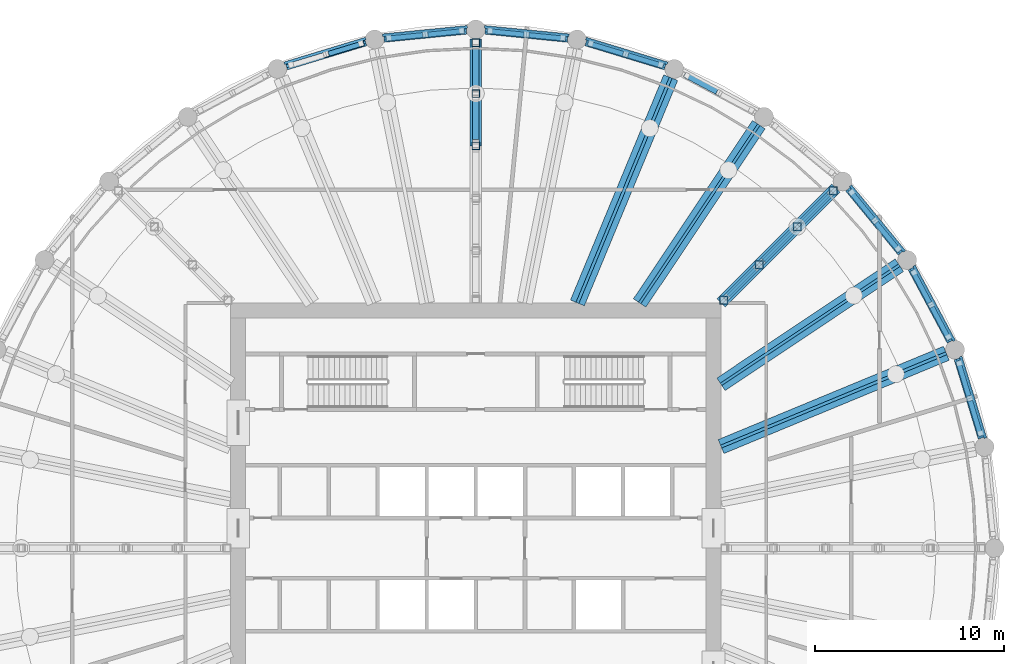
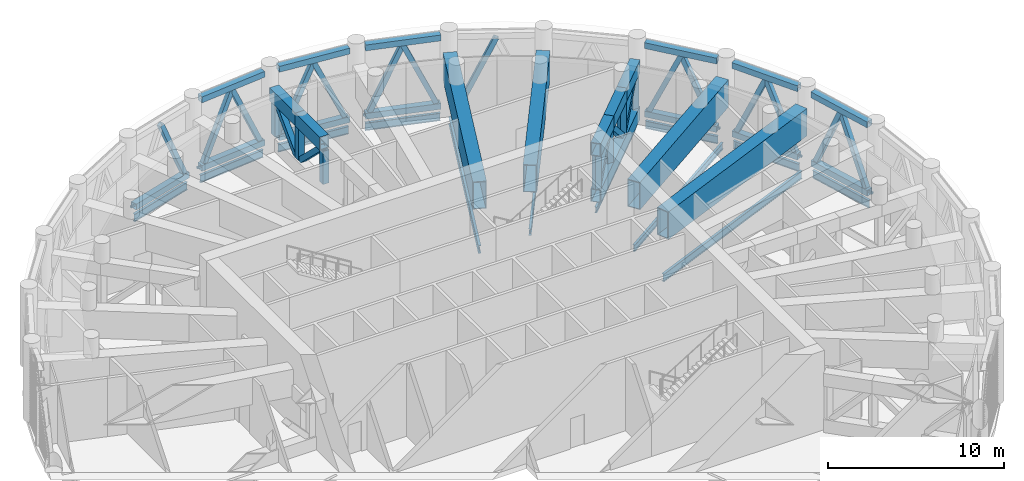
# One storey, part 7 of 24: 52 members, 16 beams, 7 elements without a shape of their own.
"""IFC4 building model written with IfcOpenShell, lengths in metres."""

from ifc_helpers import new_model, si_unit, direction, frame, origin, origin_2d, place, context, subcontext, project, spatial, rectangle, hollow_rectangle, i_section, extrude, material, material_profile, profile_set, type_object, element, aggregate, save


model = new_model("IFC4")

# Units and contexts
model_context = context("Model", 3, precision=1e-05, world=origin(), true_north=direction((0.0, 1.0)))
body_context = subcontext(model_context, "Body", "Model", "MODEL_VIEW")
ifc_project = project(units=[si_unit("LENGTHUNIT", "METRE"), si_unit("AREAUNIT", "SQUARE_METRE"), si_unit("VOLUMEUNIT", "CUBIC_METRE"), si_unit("PLANEANGLEUNIT", "RADIAN"), si_unit("MASSUNIT", "GRAM", prefix="KILO")], contexts=[model_context])

# Site, building, storey
site_placement = place(None, origin())
site = spatial("IfcSite", under=ifc_project, at=site_placement, CompositionType="ELEMENT")
building_placement = place(site_placement, origin())
building = spatial("IfcBuilding", under=site, at=building_placement, Name="Corvane Civic Tower", CompositionType="ELEMENT")
storey_placement = place(building_placement, frame((0.0, 0.0, 257.5)))
storey = spatial("IfcBuildingStorey", under=building, at=storey_placement, Name="L61", CompositionType="ELEMENT", Elevation=257.5)

# Members
ifc_material_1 = material(Name="Steel ASTM A500 Gr C", Category="steel")
ifc_material_profile_1 = material_profile(ifc_material_1, hollow_rectangle(XDim=0.406494140625, YDim=0.406494140625, WallThickness=0.0146484375, at=origin_2d()), Name="HSS16X16X5/8")
ifc_profile_set_1 = profile_set([ifc_material_profile_1], Name="Steel ASTM A500 Gr C")
member_type_1 = type_object("IfcMemberType", Name="BELT CHORD HSS16X16X5/8", PredefinedType="CHORD", material=ifc_profile_set_1)
for number, where, z_axis, x_axis, name in (
    (1, (0.49755859375, 27.450927734375, 4.94677734375), (0.995189593769, -0.097967711281, 0.0), (0.097967711281, 0.995189593769, 0.0), "Belt truss BT-L61"),
    (2, (0.49755859375, 27.450927734375, 0.203125), (0.995189593769, -0.097967711281, 0.0), (0.097967711281, 0.995189593769, 0.0), "Belt truss BT-L61"),
):
    element("IfcMember", number, at=place(storey_placement, frame(where, z_axis=z_axis, x_axis=x_axis)), inside=storey, type_object=member_type_1, Name=name, PredefinedType="CHORD", context=body_context, shape_type="SweptSolid", body=[
        extrude(hollow_rectangle(XDim=0.406494140625, YDim=0.406494140625, WallThickness=0.0146484375, at=origin_2d()), origin(), (0.0, 0.0, 1.0), 4.39111328125),
    ])
for number, where, z_axis, x_axis, name in (
    (3, (5.843505859375, 26.826416015625, 4.94677734375), (0.956949547653, -0.290254307888, 0.0), (0.290254307888, 0.956949547653, 0.0), "Belt truss BT-L61"),
    (4, (5.843505859375, 26.826416015625, 0.203125), (0.956949547653, -0.290254307888, 0.0), (0.290254307888, 0.956949547653, 0.0), "Belt truss BT-L61"),
):
    element("IfcMember", number, at=place(storey_placement, frame(where, z_axis=z_axis, x_axis=x_axis)), inside=storey, type_object=member_type_1, Name=name, PredefinedType="CHORD", context=body_context, shape_type="SweptSolid", body=[
        extrude(hollow_rectangle(XDim=0.406494140625, YDim=0.406494140625, WallThickness=0.0146484375, at=origin_2d()), origin(), (0.0, 0.0, 1.0), 4.390625),
    ])
for number, where, z_axis, x_axis, name in (
    (5, (19.7626953125, 19.05908203125, 4.94677734375), (0.634369433447, -0.773030026524, 0.0), (0.773030026524, 0.634369433447, 0.0), "Belt truss BT-L61"),
    (6, (19.7626953125, 19.05908203125, 0.203125), (0.634369433447, -0.773030026524, 0.0), (0.773030026524, 0.634369433447, 0.0), "Belt truss BT-L61"),
    (7, (23.10107421875, 14.837158203125, 4.94677734375), (0.471422006704, -0.881907756852, 0.0), (0.881907756852, 0.471422006704, 0.0), "Belt truss BT-L61"),
    (8, (23.10107421875, 14.837158203125, 0.203125), (0.471422006704, -0.881907756852, 0.0), (0.881907756852, 0.471422006704, 0.0), "Belt truss BT-L61"),
):
    element("IfcMember", number, at=place(storey_placement, frame(where, z_axis=z_axis, x_axis=x_axis)), inside=storey, type_object=member_type_1, Name=name, PredefinedType="CHORD", context=body_context, shape_type="SweptSolid", body=[
        extrude(hollow_rectangle(XDim=0.406494140625, YDim=0.406494140625, WallThickness=0.0146484375, at=origin_2d()), origin(), (0.0, 0.0, 1.0), 4.39111328125),
    ])
for number, where, z_axis, x_axis, name in (
    (9, (25.552001953125, 10.045166015625, 4.94677734375), (0.290254307888, -0.956949547653, 0.0), (0.956949547653, 0.290254307888, 0.0), "Belt truss BT-L61"),
    (10, (25.552001953125, 10.045166015625, 0.203125), (0.290254307888, -0.956949547653, 0.0), (0.956949547653, 0.290254307888, 0.0), "Belt truss BT-L61"),
    (11, (-10.045166015625, 25.552001953125, 0.203125), (0.956949547653, 0.290254307888, 0.0), (-0.290254307888, 0.956949547653, 0.0), "Belt truss BT-L61"),
):
    element("IfcMember", number, at=place(storey_placement, frame(where, z_axis=z_axis, x_axis=x_axis)), inside=storey, type_object=member_type_1, Name=name, PredefinedType="CHORD", context=body_context, shape_type="SweptSolid", body=[
        extrude(hollow_rectangle(XDim=0.406494140625, YDim=0.406494140625, WallThickness=0.0146484375, at=origin_2d()), origin(), (0.0, 0.0, 1.0), 4.390625),
    ])
for number, where, z_axis, x_axis, name in (
    (12, (-4.867431640625, 27.020751953125, 4.94677734375), (0.995189593769, 0.097967711281, 0.0), (-0.097967711281, 0.995189593769, 0.0), "Belt truss BT-L61"),
    (13, (-4.867431640625, 27.020751953125, 0.203125), (0.995189593769, 0.097967711281, 0.0), (-0.097967711281, 0.995189593769, 0.0), "Belt truss BT-L61"),
):
    element("IfcMember", number, at=place(storey_placement, frame(where, z_axis=z_axis, x_axis=x_axis)), inside=storey, type_object=member_type_1, Name=name, PredefinedType="CHORD", context=body_context, shape_type="SweptSolid", body=[
        extrude(hollow_rectangle(XDim=0.406494140625, YDim=0.406494140625, WallThickness=0.0146484375, at=origin_2d()), origin(), (0.0, 0.0, 1.0), 4.39111328125),
    ])
ifc_material_2 = material(Name="Steel ASTM A500 Gr C", Category="steel")
ifc_material_profile_2 = material_profile(ifc_material_2, hollow_rectangle(XDim=0.3046875, YDim=0.3046875, WallThickness=0.01171875, at=origin_2d()), Name="HSS12X12X1/2")
ifc_profile_set_2 = profile_set([ifc_material_profile_2], Name="Steel ASTM A500 Gr C")
member_type_2 = type_object("IfcMemberType", Name="BELT DIAGONAL HSS12X12X1/2", PredefinedType="BRACE", material=ifc_profile_set_2)
member_1_placement = place(storey_placement, frame((0.746337890625, 27.426513671875, 0.406494140625), z_axis=(0.407331176201, -0.040111669224, 0.912399236566), x_axis=(0.098000323415, 0.99518638285, 0.0)))
element("IfcMember", 14, at=member_1_placement, inside=storey, type_object=member_type_2, Name="Belt truss BT-L61", PredefinedType="BRACE", context=body_context, shape_type="SweptSolid", body=[
    extrude(hollow_rectangle(XDim=0.3046875, YDim=0.3046875, WallThickness=0.01171875, at=origin_2d()), origin(), (0.0, 0.0, 1.0), 4.753662109375),
])
for number, where, z_axis, x_axis, name in (
    (15, (4.61865234375, 27.045166015625, 0.406494140625), (-0.407288336964, 0.040112508344, 0.912418323603), (-0.098012562879, -0.995185177501, 0.0), "Belt truss BT-L61"),
    (16, (6.082763671875, 26.75390625, 0.406494140625), (0.391625604983, -0.118797380239, 0.912423458691), (0.290282555448, 0.956940979373, 0.0), "Belt truss BT-L61"),
    (17, (9.805908203125, 25.62451171875, 0.406494140625), (-0.391625604983, 0.118797380239, 0.912423458691), (-0.290282555448, -0.956940979373, 0.0), "Belt truss BT-L61"),
    (18, (11.18505859375, 25.05322265625, 0.406494140625), (0.36095861571, -0.192908446301, 0.912411754139), (0.471343613184, 0.88194965747, 0.0), "Belt truss BT-L61"),
    (19, (19.92138671875, 18.86572265625, 0.406494140625), (0.259625765734, -0.316378776839, 0.912413793919), (0.773033921437, 0.634364687153, 0.0), "Belt truss BT-L61"),
    (20, (22.3896484375, 15.85791015625, 0.406494140625), (-0.259625765734, 0.316378776839, 0.912413793919), (-0.773033921437, -0.634364687153, 0.0), "Belt truss BT-L61"),
):
    element("IfcMember", number, at=place(storey_placement, frame(where, z_axis=z_axis, x_axis=x_axis)), inside=storey, type_object=member_type_2, Name=name, PredefinedType="BRACE", context=body_context, shape_type="SweptSolid", body=[
        extrude(hollow_rectangle(XDim=0.3046875, YDim=0.3046875, WallThickness=0.01171875, at=origin_2d()), origin(), (0.0, 0.0, 1.0), 4.75341796875),
    ])
member_2_placement = place(storey_placement, frame((23.218994140625, 14.61669921875, 0.406494140625), z_axis=(0.192957894346, -0.360955038984, 0.912402713083), x_axis=(0.881897488442, 0.47144121572, 0.0)))
element("IfcMember", 21, at=member_2_placement, inside=storey, type_object=member_type_2, Name="Belt truss BT-L61", PredefinedType="BRACE", context=body_context, shape_type="SweptSolid", body=[
    extrude(hollow_rectangle(XDim=0.3046875, YDim=0.3046875, WallThickness=0.01171875, at=origin_2d()), origin(), (0.0, 0.0, 1.0), 4.753662109375),
])
for number, where, z_axis, x_axis, name in (
    (22, (25.05322265625, 11.18505859375, 0.406494140625), (-0.192908446301, 0.36095861571, 0.912411754139), (-0.88194965747, -0.471343613184, 0.0), "Belt truss BT-L61"),
    (23, (25.62451171875, 9.805908203125, 0.406494140625), (0.118797380239, -0.391625604983, 0.912423458691), (0.956940979373, 0.290282555448, 0.0), "Belt truss BT-L61"),
    (24, (26.75390625, 6.082763671875, 0.406494140625), (-0.118797380239, 0.391625604983, 0.912423458691), (-0.956940979373, -0.290282555448, 0.0), "Belt truss BT-L61"),
    (25, (-6.082763671875, 26.75390625, 0.406494140625), (-0.391625604983, -0.118797380239, 0.912423458691), (0.290282555448, -0.956940979373, 0.0), "Belt truss BT-L61"),
    (26, (-4.61865234375, 27.045166015625, 0.406494140625), (0.407288336964, 0.040112508344, 0.912418323603), (-0.098012562879, 0.995185177501, 0.0), "Belt truss BT-L61"),
):
    element("IfcMember", number, at=place(storey_placement, frame(where, z_axis=z_axis, x_axis=x_axis)), inside=storey, type_object=member_type_2, Name=name, PredefinedType="BRACE", context=body_context, shape_type="SweptSolid", body=[
        extrude(hollow_rectangle(XDim=0.3046875, YDim=0.3046875, WallThickness=0.01171875, at=origin_2d()), origin(), (0.0, 0.0, 1.0), 4.75341796875),
    ])
member_3_placement = place(storey_placement, frame((-0.746337890625, 27.426513671875, 0.406494140625), z_axis=(-0.407331176201, -0.040111669224, 0.912399236566), x_axis=(0.098000323415, -0.99518638285, 0.0)))
element("IfcMember", 27, at=member_3_placement, inside=storey, type_object=member_type_2, Name="Belt truss BT-L61", PredefinedType="BRACE", context=body_context, shape_type="SweptSolid", body=[
    extrude(hollow_rectangle(XDim=0.3046875, YDim=0.3046875, WallThickness=0.01171875, at=origin_2d()), origin(), (0.0, 0.0, 1.0), 4.753662109375),
])

# Beams
ifc_material_3 = material(Name="Steel ASTM A992 Gr 50", Category="steel")
ifc_material_profile_3 = material_profile(ifc_material_3, i_section(OverallWidth=0.165771484375, OverallDepth=0.5283203125, WebThickness=0.009765625, FlangeThickness=0.013671875, at=origin_2d()), Name="W21X50")
ifc_profile_set_3 = profile_set([ifc_material_profile_3], Name="Steel ASTM A992 Gr 50")
beam_type_1 = type_object("IfcBeamType", Name="EDGE BEAM W21X50", PredefinedType="BEAM", material=ifc_profile_set_3)
beam_1_placement = place(storey_placement, frame((0.49755859375, 27.450927734375, -0.6142578125), z_axis=(0.995189593769, -0.097967711281, 0.0), x_axis=(0.097967711281, 0.995189593769, 0.0)))
element("IfcBeam", 28, at=beam_1_placement, inside=storey, type_object=beam_type_1, Name="BM-L61-E01", PredefinedType="BEAM", context=body_context, shape_type="SweptSolid", body=[
    extrude(i_section(OverallWidth=0.165771484375, OverallDepth=0.5283203125, WebThickness=0.009765625, FlangeThickness=0.013671875, at=origin_2d()), origin(), (0.0, 0.0, 1.0), 4.39111328125),
])
beam_2_placement = place(storey_placement, frame((5.843505859375, 26.826416015625, -0.6142578125), z_axis=(0.956949547653, -0.290254307888, 0.0), x_axis=(0.290254307888, 0.956949547653, 0.0)))
element("IfcBeam", 29, at=beam_2_placement, inside=storey, type_object=beam_type_1, Name="BM-L61-E02", PredefinedType="BEAM", context=body_context, shape_type="SweptSolid", body=[
    extrude(i_section(OverallWidth=0.165771484375, OverallDepth=0.5283203125, WebThickness=0.009765625, FlangeThickness=0.013671875, at=origin_2d()), origin(), (0.0, 0.0, 1.0), 4.390625),
])
for number, where, z_axis, x_axis, name in (
    (30, (19.7626953125, 19.05908203125, -0.6142578125), (0.634369433447, -0.773030026524, 0.0), (0.773030026524, 0.634369433447, 0.0), "BM-L61-E05"),
    (31, (23.10107421875, 14.837158203125, -0.6142578125), (0.471422006704, -0.881907756852, 0.0), (0.881907756852, 0.471422006704, 0.0), "BM-L61-E06"),
):
    element("IfcBeam", number, at=place(storey_placement, frame(where, z_axis=z_axis, x_axis=x_axis)), inside=storey, type_object=beam_type_1, Name=name, PredefinedType="BEAM", context=body_context, shape_type="SweptSolid", body=[
        extrude(i_section(OverallWidth=0.165771484375, OverallDepth=0.5283203125, WebThickness=0.009765625, FlangeThickness=0.013671875, at=origin_2d()), origin(), (0.0, 0.0, 1.0), 4.39111328125),
    ])
for number, where, z_axis, x_axis, name in (
    (32, (25.552001953125, 10.045166015625, -0.6142578125), (0.290254307888, -0.956949547653, 0.0), (0.956949547653, 0.290254307888, 0.0), "BM-L61-E07"),
    (33, (-10.045166015625, 25.552001953125, -0.6142578125), (0.956949547653, 0.290254307888, 0.0), (-0.290254307888, 0.956949547653, 0.0), "BM-L61-E31"),
):
    element("IfcBeam", number, at=place(storey_placement, frame(where, z_axis=z_axis, x_axis=x_axis)), inside=storey, type_object=beam_type_1, Name=name, PredefinedType="BEAM", context=body_context, shape_type="SweptSolid", body=[
        extrude(i_section(OverallWidth=0.165771484375, OverallDepth=0.5283203125, WebThickness=0.009765625, FlangeThickness=0.013671875, at=origin_2d()), origin(), (0.0, 0.0, 1.0), 4.390625),
    ])
beam_3_placement = place(storey_placement, frame((-4.867431640625, 27.020751953125, -0.6142578125), z_axis=(0.995189593769, 0.097967711281, 0.0), x_axis=(-0.097967711281, 0.995189593769, 0.0)))
element("IfcBeam", 34, at=beam_3_placement, inside=storey, type_object=beam_type_1, Name="BM-L61-E32", PredefinedType="BEAM", context=body_context, shape_type="SweptSolid", body=[
    extrude(i_section(OverallWidth=0.165771484375, OverallDepth=0.5283203125, WebThickness=0.009765625, FlangeThickness=0.013671875, at=origin_2d()), origin(), (0.0, 0.0, 1.0), 4.39111328125),
])
ifc_material_4 = material(Name="Steel ASTM A992 Gr 50", Category="steel")
ifc_material_profile_4 = material_profile(ifc_material_4, i_section(OverallWidth=0.140380859375, OverallDepth=0.40380859375, WebThickness=0.007080078125, FlangeThickness=0.01123046875, at=origin_2d()), Name="W16X31")
ifc_profile_set_4 = profile_set([ifc_material_profile_4], Name="Steel ASTM A992 Gr 50")
beam_type_2 = type_object("IfcBeamType", Name="FLOOR GIRDER W16X31", PredefinedType="BEAM", material=ifc_profile_set_4)
beam_4_placement = place(storey_placement, frame((13.0, 13.0, -0.552001953125), z_axis=(0.707106781187, 0.707106781187, 0.0), x_axis=(-0.707106781187, 0.707106781187, 0.0)))
element("IfcBeam", 35, at=beam_4_placement, inside=storey, type_object=beam_type_2, Name="BM-L61-G05", PredefinedType="BEAM", context=body_context, shape_type="SweptSolid", body=[
    extrude(i_section(OverallWidth=0.140380859375, OverallDepth=0.40380859375, WebThickness=0.007080078125, FlangeThickness=0.01123046875, at=origin_2d()), origin(), (0.0, 0.0, 1.0), 8.614990234375),
])
ifc_material_5 = material(Name="Steel ASTM A992 Gr 50", Category="steel")
ifc_material_profile_5 = material_profile(ifc_material_5, i_section(OverallWidth=0.15283203125, OverallDepth=0.45458984375, WebThickness=0.008056640625, FlangeThickness=0.013427734375, at=origin_2d()), Name="W18X40")
ifc_profile_set_5 = profile_set([ifc_material_profile_5], Name="Steel ASTM A992 Gr 50")
beam_type_3 = type_object("IfcBeamType", Name="FLOOR GIRDER W18X40", PredefinedType="BEAM", material=ifc_profile_set_5)
for number, where, z_axis, x_axis, name in (
    (36, (8.686279296875, 13.0, -0.577392578125), (0.555577326485, 0.831464872557, 0.0), (-0.831464872557, 0.555577326485, 0.0), "BM-L61-G04"),
    (37, (13.0, 8.686279296875, -0.577392578125), (0.831464872557, 0.555577326485, 0.0), (-0.555577326485, 0.831464872557, 0.0), "BM-L61-G06"),
):
    element("IfcBeam", number, at=place(storey_placement, frame(where, z_axis=z_axis, x_axis=x_axis)), inside=storey, type_object=beam_type_3, Name=name, PredefinedType="BEAM", context=body_context, shape_type="SweptSolid", body=[
        extrude(i_section(OverallWidth=0.15283203125, OverallDepth=0.45458984375, WebThickness=0.008056640625, FlangeThickness=0.013427734375, at=origin_2d()), origin(), (0.0, 0.0, 1.0), 11.365234375),
    ])
ifc_material_6 = material(Name="Steel ASTM A992 Gr 50", Category="steel")
ifc_material_profile_6 = material_profile(ifc_material_6, i_section(OverallWidth=0.165771484375, OverallDepth=0.5283203125, WebThickness=0.009765625, FlangeThickness=0.013671875, at=origin_2d()), Name="W21X50")
ifc_profile_set_6 = profile_set([ifc_material_profile_6], Name="Steel ASTM A992 Gr 50")
beam_type_4 = type_object("IfcBeamType", Name="FLOOR GIRDER W21X50", PredefinedType="BEAM", material=ifc_profile_set_6)
for number, where, z_axis, x_axis, name in (
    (38, (5.384765625, 13.0, -0.6142578125), (0.382686450378, 0.923878282404, 0.0), (-0.923878282404, 0.382686450378, 0.0), "BM-L61-G03"),
    (39, (13.0, 5.384765625, -0.6142578125), (0.923878282404, 0.382686450378, 0.0), (-0.382686450378, 0.923878282404, 0.0), "BM-L61-G07"),
):
    element("IfcBeam", number, at=place(storey_placement, frame(where, z_axis=z_axis, x_axis=x_axis)), inside=storey, type_object=beam_type_4, Name=name, PredefinedType="BEAM", context=body_context, shape_type="SweptSolid", body=[
        extrude(i_section(OverallWidth=0.165771484375, OverallDepth=0.5283203125, WebThickness=0.009765625, FlangeThickness=0.013671875, at=origin_2d()), origin(), (0.0, 0.0, 1.0), 12.928955078125),
    ])

# Members
ifc_material_7 = material(Name="Steel ASTM A572 Gr 50", Category="steel")
ifc_material_profile_7 = material_profile(ifc_material_7, hollow_rectangle(XDim=0.60009765625, YDim=0.89990234375, WallThickness=0.0400390625, at=origin_2d()), Name="BOX900X600X40")
ifc_profile_set_7 = profile_set([ifc_material_profile_7], Name="Steel ASTM A572 Gr 50")
member_type_3 = type_object("IfcMemberType", Name="OUTRIGGER CHORD BOX900X600X40", PredefinedType="CHORD", material=ifc_profile_set_7)
member_4_placement = place(storey_placement, frame((0.0, 21.324951171875, 3.64990234375), z_axis=(0.0, 1.0, 0.0), x_axis=(-1.0, 0.0, 0.0)))
element("IfcMember", 40, at=member_4_placement, inside=storey, type_object=member_type_3, Name="Outrigger truss OT-L61-1", PredefinedType="CHORD", context=body_context, shape_type="SweptSolid", body=[
    extrude(hollow_rectangle(XDim=0.60009765625, YDim=0.89990234375, WallThickness=0.0400390625, at=origin_2d()), origin(), (0.0, 0.0, 1.0), 2.775146484375),
])
member_5_placement = place(storey_placement, frame((0.0, 24.10009765625, 3.64990234375), z_axis=(0.0, 1.0, 0.0), x_axis=(-1.0, 0.0, 0.0)))
element("IfcMember", 41, at=member_5_placement, inside=storey, type_object=member_type_3, Name="Outrigger truss OT-L61-1", PredefinedType="CHORD", context=body_context, shape_type="SweptSolid", body=[
    extrude(hollow_rectangle(XDim=0.60009765625, YDim=0.89990234375, WallThickness=0.0400390625, at=origin_2d()), origin(), (0.0, 0.0, 1.0), 2.89990234375),
])
member_6_placement = place(storey_placement, frame((13.0, 13.0, 3.64990234375), z_axis=(0.707106781187, 0.707106781187, 0.0), x_axis=(-0.707106781187, 0.707106781187, 0.0)))
element("IfcMember", 42, at=member_6_placement, inside=storey, type_object=member_type_3, Name="Outrigger truss OT-L61-2", PredefinedType="CHORD", context=body_context, shape_type="SweptSolid", body=[
    extrude(hollow_rectangle(XDim=0.60009765625, YDim=0.89990234375, WallThickness=0.0400390625, at=origin_2d()), origin(), (0.0, 0.0, 1.0), 2.857666015625),
])
member_7_placement = place(storey_placement, frame((15.020751953125, 15.020751953125, 3.64990234375), z_axis=(0.707106781187, 0.707106781187, 0.0), x_axis=(-0.707106781187, 0.707106781187, 0.0)))
element("IfcMember", 43, at=member_7_placement, inside=storey, type_object=member_type_3, Name="Outrigger truss OT-L61-2", PredefinedType="CHORD", context=body_context, shape_type="SweptSolid", body=[
    extrude(hollow_rectangle(XDim=0.60009765625, YDim=0.89990234375, WallThickness=0.0400390625, at=origin_2d()), origin(), (0.0, 0.0, 1.0), 2.857421875),
])
member_8_placement = place(storey_placement, frame((17.041259765625, 17.041259765625, 3.64990234375), z_axis=(0.707106781187, 0.707106781187, 0.0), x_axis=(-0.707106781187, 0.707106781187, 0.0)))
element("IfcMember", 44, at=member_8_placement, inside=storey, type_object=member_type_3, Name="Outrigger truss OT-L61-2", PredefinedType="CHORD", context=body_context, shape_type="SweptSolid", body=[
    extrude(hollow_rectangle(XDim=0.60009765625, YDim=0.89990234375, WallThickness=0.0400390625, at=origin_2d()), origin(), (0.0, 0.0, 1.0), 2.89990234375),
])
member_9_placement = place(storey_placement, frame((13.0, 13.0, 0.449951171875), z_axis=(0.707106781187, 0.707106781187, 0.0), x_axis=(-0.707106781187, 0.707106781187, 0.0)))
element("IfcMember", 45, at=member_9_placement, inside=storey, type_object=member_type_3, Name="Outrigger truss OT-L61-2", PredefinedType="CHORD", context=body_context, shape_type="SweptSolid", body=[
    extrude(hollow_rectangle(XDim=0.60009765625, YDim=0.89990234375, WallThickness=0.0400390625, at=origin_2d()), origin(), (0.0, 0.0, 1.0), 8.614990234375),
])
ifc_material_8 = material(Name="Steel ASTM A500 Gr C", Category="steel")
ifc_material_profile_8 = material_profile(ifc_material_8, hollow_rectangle(XDim=0.355712890625, YDim=0.355712890625, WallThickness=0.01171875, at=origin_2d()), Name="HSS14X14X1/2")
ifc_profile_set_8 = profile_set([ifc_material_profile_8], Name="Steel ASTM A500 Gr C")
member_type_4 = type_object("IfcMemberType", Name="OUTRIGGER DIAGONAL HSS14X14X1/2", PredefinedType="BRACE", material=ifc_profile_set_8)
member_10_placement = place(storey_placement, frame((0.0, 21.5283203125, 3.199951171875), z_axis=(0.0, 0.717383914555, -0.696678059894), x_axis=(-1.0, 0.0, 0.0)))
element("IfcMember", 46, at=member_10_placement, inside=storey, type_object=member_type_4, Name="Outrigger truss OT-L61-1", PredefinedType="BRACE", context=body_context, shape_type="SweptSolid", body=[
    extrude(hollow_rectangle(XDim=0.355712890625, YDim=0.355712890625, WallThickness=0.01171875, at=origin_2d()), origin(), (0.0, 0.0, 1.0), 3.301513671875),
])
member_11_placement = place(storey_placement, frame((0.0, 24.30322265625, 0.89990234375), z_axis=(0.0, 0.705600861945, 0.708609500094), x_axis=(-1.0, 0.0, 0.0)))
element("IfcMember", 47, at=member_11_placement, inside=storey, type_object=member_type_4, Name="Outrigger truss OT-L61-1", PredefinedType="BRACE", context=body_context, shape_type="SweptSolid", body=[
    extrude(hollow_rectangle(XDim=0.355712890625, YDim=0.355712890625, WallThickness=0.01171875, at=origin_2d()), origin(), (0.0, 0.0, 1.0), 3.245849609375),
])
member_12_placement = place(storey_placement, frame((13.287353515625, 13.287353515625, 0.89990234375), z_axis=(0.494249277521, 0.494249277521, 0.715147050151), x_axis=(-0.707106781187, 0.707106781187, 0.0)))
element("IfcMember", 48, at=member_12_placement, inside=storey, type_object=member_type_4, Name="Outrigger truss OT-L61-2", PredefinedType="BRACE", context=body_context, shape_type="SweptSolid", body=[
    extrude(hollow_rectangle(XDim=0.355712890625, YDim=0.355712890625, WallThickness=0.01171875, at=origin_2d()), origin(), (0.0, 0.0, 1.0), 3.21630859375),
])
member_13_placement = place(storey_placement, frame((15.164306640625, 15.164306640625, 3.199951171875), z_axis=(0.515664863486, 0.515664863486, -0.684236433648), x_axis=(-0.707106781187, 0.707106781187, 0.0)))
element("IfcMember", 49, at=member_13_placement, inside=storey, type_object=member_type_4, Name="Outrigger truss OT-L61-2", PredefinedType="BRACE", context=body_context, shape_type="SweptSolid", body=[
    extrude(hollow_rectangle(XDim=0.355712890625, YDim=0.355712890625, WallThickness=0.01171875, at=origin_2d()), origin(), (0.0, 0.0, 1.0), 3.361572265625),
])
member_14_placement = place(storey_placement, frame((17.18505859375, 17.18505859375, 0.89990234375), z_axis=(0.498921228114, 0.498921228114, 0.708629110518), x_axis=(-0.707106781187, 0.707106781187, 0.0)))
element("IfcMember", 50, at=member_14_placement, inside=storey, type_object=member_type_4, Name="Outrigger truss OT-L61-2", PredefinedType="BRACE", context=body_context, shape_type="SweptSolid", body=[
    extrude(hollow_rectangle(XDim=0.355712890625, YDim=0.355712890625, WallThickness=0.01171875, at=origin_2d()), origin(), (0.0, 0.0, 1.0), 3.245849609375),
])
ifc_material_9 = material(Name="Steel ASTM A500 Gr C", Category="steel")
ifc_material_profile_9 = material_profile(ifc_material_9, hollow_rectangle(XDim=0.406494140625, YDim=0.406494140625, WallThickness=0.0146484375, at=origin_2d()), Name="HSS16X16X5/8")
ifc_profile_set_9 = profile_set([ifc_material_profile_9], Name="Steel ASTM A500 Gr C")
member_type_5 = type_object("IfcMemberType", Name="OUTRIGGER POST HSS16X16X5/8", PredefinedType="POST", material=ifc_profile_set_9)
for number, where, z_axis, x_axis, name in (
    (51, (0.0, 21.324951171875, 0.89990234375), (0.0, 0.0, 1.0), (1.0, 0.0, 0.0), "Outrigger truss OT-L61-1"),
    (52, (0.0, 24.10009765625, 0.89990234375), (0.0, 0.0, 1.0), (1.0, 0.0, 0.0), "Outrigger truss OT-L61-1"),
    (53, (0.0, 26.796875, 0.89990234375), (0.0, 0.0, 1.0), (1.0, 0.0, 0.0), "Outrigger truss OT-L61-1"),
    (54, (13.143798828125, 13.143798828125, 0.89990234375), (0.0, 0.0, 1.0), (1.0, 0.0, 0.0), "Outrigger truss OT-L61-2"),
    (55, (15.020751953125, 15.020751953125, 0.89990234375), (0.0, 0.0, 1.0), (1.0, 0.0, 0.0), "Outrigger truss OT-L61-2"),
    (56, (17.041259765625, 17.041259765625, 0.89990234375), (0.0, 0.0, 1.0), (1.0, 0.0, 0.0), "Outrigger truss OT-L61-2"),
    (57, (18.9482421875, 18.9482421875, 0.89990234375), (0.0, 0.0, 1.0), (1.0, 0.0, 0.0), "Outrigger truss OT-L61-2"),
):
    element("IfcMember", number, at=place(storey_placement, frame(where, z_axis=z_axis, x_axis=x_axis)), inside=storey, type_object=member_type_5, Name=name, PredefinedType="POST", context=body_context, shape_type="SweptSolid", body=[
        extrude(hollow_rectangle(XDim=0.406494140625, YDim=0.406494140625, WallThickness=0.0146484375, at=origin_2d()), origin(), (0.0, 0.0, 1.0), 2.300048828125),
    ])

# Curtain wall, member
ifc_material_10 = material(Name="Anodised aluminium bronze", Category="aluminium")
curtain_wall_type = type_object("IfcCurtainWallType", Name="TOWER CW-LV LOUVRE SCREEN WALL", PredefinedType="NOTDEFINED", material=ifc_material_10)
curtain_wall_1_placement = place(storey_placement, origin())
curtain_wall_1 = element("IfcCurtainWall", 58, at=curtain_wall_1_placement, inside=storey, type_object=curtain_wall_type, Name="Louvre screen wall CW-LV L61 bay 01", PredefinedType="NOTDEFINED")
ifc_material_11 = material(Name="Anodised aluminium bronze", Category="aluminium")
ifc_material_profile_10 = material_profile(ifc_material_11, rectangle(XDim=0.139892578125, YDim=0.1201171875, at=origin_2d()), Name="TOWER CW-LV TRANSOM 140x120")
ifc_profile_set_10 = profile_set([ifc_material_profile_10], Name="Anodised aluminium bronze")
member_type_6 = type_object("IfcMemberType", Name="TOWER CW-LV TRANSOM 140x120", PredefinedType="USERDEFINED", material=ifc_profile_set_10)
member_15_placement = place(storey_placement, frame((0.452392578125, 27.635498046875, 0.06005859375), z_axis=(0.995182207386, -0.098042715701, 0.0), x_axis=(0.098042715701, 0.995182207386, 0.0)))
member_15 = element("IfcMember", 59, at=member_15_placement, type_object=member_type_6, Name="Transom CW-LV L61 01.1", ObjectType="TRANSOM", PredefinedType="USERDEFINED", context=body_context, shape_type="SweptSolid", body=[
    extrude(rectangle(XDim=0.139892578125, YDim=0.1201171875, at=origin_2d()), origin(), (0.0, 0.0, 1.0), 4.51708984375),
])
aggregate(curtain_wall_1, [member_15])

curtain_wall_2_placement = place(storey_placement, origin())
curtain_wall_2 = element("IfcCurtainWall", 60, at=curtain_wall_2_placement, inside=storey, type_object=curtain_wall_type, Name="Louvre screen wall CW-LV L61 bay 02", PredefinedType="NOTDEFINED")
member_16_placement = place(storey_placement, frame((5.8349609375, 27.016357421875, 0.06005859375), z_axis=(0.956941182173, -0.2902818869, 0.0), x_axis=(0.2902818869, 0.956941182173, 0.0)))
member_16 = element("IfcMember", 61, at=member_16_placement, type_object=member_type_6, Name="Transom CW-LV L61 02.1", ObjectType="TRANSOM", PredefinedType="USERDEFINED", context=body_context, shape_type="SweptSolid", body=[
    extrude(rectangle(XDim=0.139892578125, YDim=0.1201171875, at=origin_2d()), origin(), (0.0, 0.0, 1.0), 4.517333984375),
])
aggregate(curtain_wall_2, [member_16])

curtain_wall_3_placement = place(storey_placement, origin())
curtain_wall_3 = element("IfcCurtainWall", 62, at=curtain_wall_3_placement, inside=storey, type_object=curtain_wall_type, Name="Louvre screen wall CW-LV L61 bay 05", PredefinedType="NOTDEFINED")
member_17_placement = place(storey_placement, frame((19.861083984375, 19.221435546875, 0.06005859375), z_axis=(0.634387834569, -0.773014925698, 0.0), x_axis=(0.773014925698, 0.634387834569, 0.0)))
member_17 = element("IfcMember", 63, at=member_17_placement, type_object=member_type_6, Name="Transom CW-LV L61 05.1", ObjectType="TRANSOM", PredefinedType="USERDEFINED", context=body_context, shape_type="SweptSolid", body=[
    extrude(rectangle(XDim=0.139892578125, YDim=0.1201171875, at=origin_2d()), origin(), (0.0, 0.0, 1.0), 4.517333984375),
])
aggregate(curtain_wall_3, [member_17])

curtain_wall_4_placement = place(storey_placement, origin())
curtain_wall_4 = element("IfcCurtainWall", 64, at=curtain_wall_4_placement, inside=storey, type_object=curtain_wall_type, Name="Louvre screen wall CW-LV L61 bay 06", PredefinedType="NOTDEFINED")
member_18_placement = place(storey_placement, frame((23.2294921875, 14.977294921875, 0.06005859375), z_axis=(0.471390317183, -0.881924695689, 0.0), x_axis=(0.881924695689, 0.471390317183, 0.0)))
member_18 = element("IfcMember", 65, at=member_18_placement, type_object=member_type_6, Name="Transom CW-LV L61 06.1", ObjectType="TRANSOM", PredefinedType="USERDEFINED", context=body_context, shape_type="SweptSolid", body=[
    extrude(rectangle(XDim=0.139892578125, YDim=0.1201171875, at=origin_2d()), origin(), (0.0, 0.0, 1.0), 4.517333984375),
])
aggregate(curtain_wall_4, [member_18])

curtain_wall_5_placement = place(storey_placement, origin())
curtain_wall_5 = element("IfcCurtainWall", 66, at=curtain_wall_5_placement, inside=storey, type_object=curtain_wall_type, Name="Louvre screen wall CW-LV L61 bay 07", PredefinedType="NOTDEFINED")
member_19_placement = place(storey_placement, frame((25.705078125, 10.15771484375, 0.06005859375), z_axis=(0.2902818869, -0.956941182173, 0.0), x_axis=(0.956941182173, 0.2902818869, 0.0)))
member_19 = element("IfcMember", 67, at=member_19_placement, type_object=member_type_6, Name="Transom CW-LV L61 07.1", ObjectType="TRANSOM", PredefinedType="USERDEFINED", context=body_context, shape_type="SweptSolid", body=[
    extrude(rectangle(XDim=0.139892578125, YDim=0.1201171875, at=origin_2d()), origin(), (0.0, 0.0, 1.0), 4.517333984375),
])
aggregate(curtain_wall_5, [member_19])

curtain_wall_6_placement = place(storey_placement, origin())
curtain_wall_6 = element("IfcCurtainWall", 68, at=curtain_wall_6_placement, inside=storey, type_object=curtain_wall_type, Name="Louvre screen wall CW-LV L61 bay 31", PredefinedType="NOTDEFINED")
member_20_placement = place(storey_placement, frame((-10.15771484375, 25.705078125, 0.06005859375), z_axis=(0.956941182173, 0.2902818869, 0.0), x_axis=(-0.2902818869, 0.956941182173, 0.0)))
member_20 = element("IfcMember", 69, at=member_20_placement, type_object=member_type_6, Name="Transom CW-LV L61 31.1", ObjectType="TRANSOM", PredefinedType="USERDEFINED", context=body_context, shape_type="SweptSolid", body=[
    extrude(rectangle(XDim=0.139892578125, YDim=0.1201171875, at=origin_2d()), origin(), (0.0, 0.0, 1.0), 4.517333984375),
])
aggregate(curtain_wall_6, [member_20])

curtain_wall_7_placement = place(storey_placement, origin())
curtain_wall_7 = element("IfcCurtainWall", 70, at=curtain_wall_7_placement, inside=storey, type_object=curtain_wall_type, Name="Louvre screen wall CW-LV L61 bay 32", PredefinedType="NOTDEFINED")
member_21_placement = place(storey_placement, frame((-4.94775390625, 27.192626953125, 0.06005859375), z_axis=(0.995182207386, 0.098042715701, 0.0), x_axis=(-0.098042715701, 0.995182207386, 0.0)))
member_21 = element("IfcMember", 71, at=member_21_placement, type_object=member_type_6, Name="Transom CW-LV L61 32.1", ObjectType="TRANSOM", PredefinedType="USERDEFINED", context=body_context, shape_type="SweptSolid", body=[
    extrude(rectangle(XDim=0.139892578125, YDim=0.1201171875, at=origin_2d()), origin(), (0.0, 0.0, 1.0), 4.51708984375),
])
aggregate(curtain_wall_7, [member_21])

# Beams
ifc_material_12 = material(Name="Steel ASTM A572 Gr 50", Category="steel")
ifc_material_profile_11 = material_profile(ifc_material_12, hollow_rectangle(XDim=0.800048828125, YDim=1.89990234375, WallThickness=0.050048828125, at=origin_2d()), Name="BOX1900X800X50")
ifc_profile_set_11 = profile_set([ifc_material_profile_11], Name="Steel ASTM A572 Gr 50")
beam_type_5 = type_object("IfcBeamType", Name="TRANSFER GIRDER BOX1900X800X50", PredefinedType="BEAM", material=ifc_profile_set_11)
beam_5_placement = place(storey_placement, frame((5.384765625, 13.0, 3.14990234375), z_axis=(0.382686450378, 0.923878282404, 0.0), x_axis=(-0.923878282404, 0.382686450378, 0.0)))
element("IfcBeam", 72, at=beam_5_placement, inside=storey, type_object=beam_type_5, Name="Transfer girder TG-L61-3", PredefinedType="BEAM", context=body_context, shape_type="SweptSolid", body=[
    extrude(hollow_rectangle(XDim=0.800048828125, YDim=1.89990234375, WallThickness=0.050048828125, at=origin_2d()), origin(), (0.0, 0.0, 1.0), 12.928955078125),
])
for number, where, z_axis, x_axis, name in (
    (73, (8.686279296875, 13.0, 3.14990234375), (0.555577326485, 0.831464872557, 0.0), (-0.831464872557, 0.555577326485, 0.0), "Transfer girder TG-L61-4"),
    (74, (13.0, 8.686279296875, 3.14990234375), (0.831464872557, 0.555577326485, 0.0), (-0.555577326485, 0.831464872557, 0.0), "Transfer girder TG-L61-6"),
):
    element("IfcBeam", number, at=place(storey_placement, frame(where, z_axis=z_axis, x_axis=x_axis)), inside=storey, type_object=beam_type_5, Name=name, PredefinedType="BEAM", context=body_context, shape_type="SweptSolid", body=[
        extrude(hollow_rectangle(XDim=0.800048828125, YDim=1.89990234375, WallThickness=0.050048828125, at=origin_2d()), origin(), (0.0, 0.0, 1.0), 11.365234375),
    ])
beam_6_placement = place(storey_placement, frame((13.0, 5.384765625, 3.14990234375), z_axis=(0.923878282404, 0.382686450378, 0.0), x_axis=(-0.382686450378, 0.923878282404, 0.0)))
element("IfcBeam", 75, at=beam_6_placement, inside=storey, type_object=beam_type_5, Name="Transfer girder TG-L61-7", PredefinedType="BEAM", context=body_context, shape_type="SweptSolid", body=[
    extrude(hollow_rectangle(XDim=0.800048828125, YDim=1.89990234375, WallThickness=0.050048828125, at=origin_2d()), origin(), (0.0, 0.0, 1.0), 12.928955078125),
])

save(model, "model.ifc")
